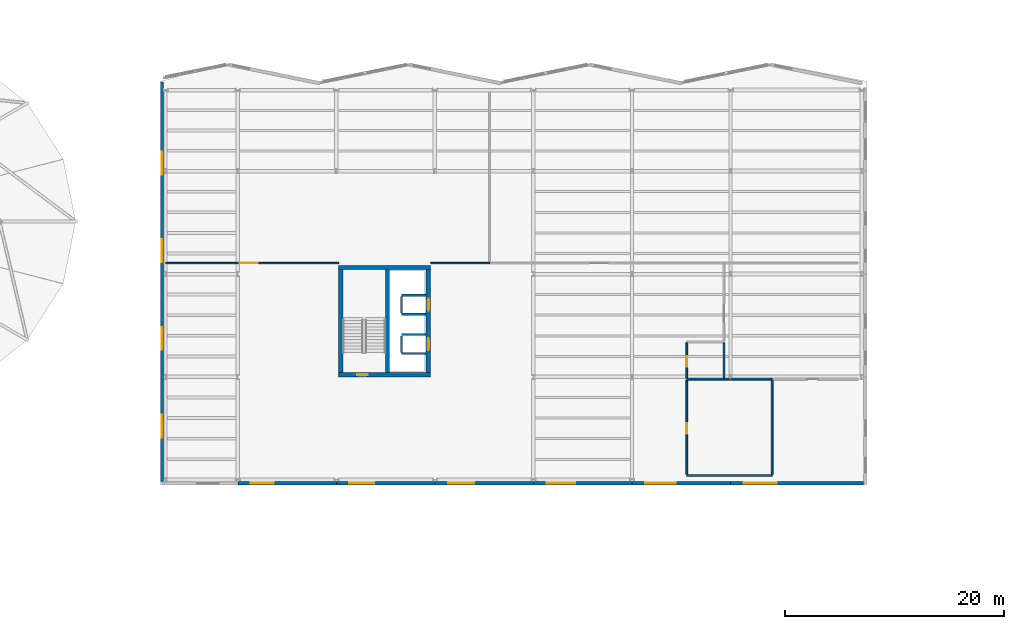
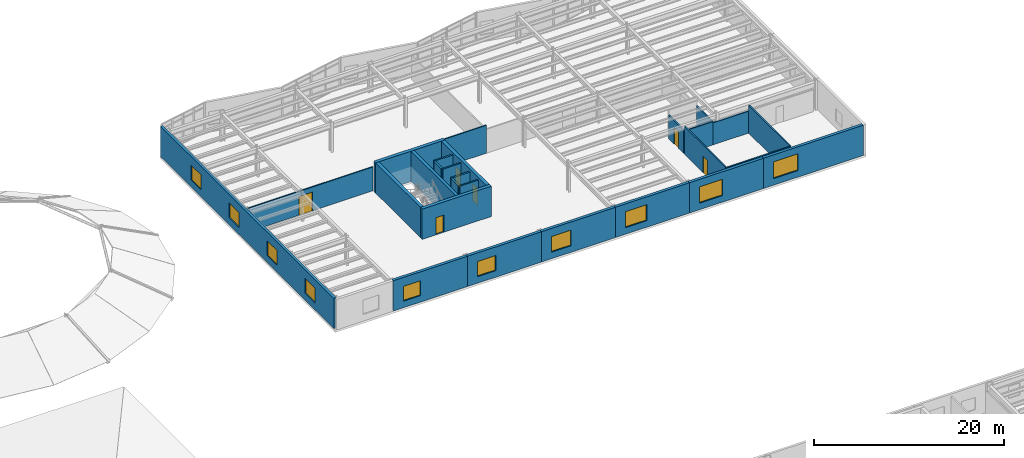
# One storey, part 33 of 46: 27 walls, 10 windows, 6 doors, 16 openings.
"""IFC4 building model written with IfcOpenShell, lengths in metres."""

import ifcopenshell
import ifcopenshell.guid

model = None  # the IFC model being written
_history = None  # IfcOwnerHistory: only IFC2X3 demands one
_inside = {}  # id of a spatial element -> (the spatial element, [elements in it])
_under = {}  # id of a project, library or spatial element -> (it, [spatial elements below it])
_declared = {}  # id of a project -> (the project, [libraries it declares])
_typed = {}  # id of a type object -> (the type object, [elements of that type])
_made_of = {}  # id of a material, layer set ... -> (it, [elements and type objects made of it])


def new_model(schema):
    """Start an empty IFC model of exactly this schema.

    Asked for "IFC4X3", IfcOpenShell would pick the latest addendum, in which some entities
    have other attributes; the version numbers below select the first issue.
    IFC2X3 requires an IfcOwnerHistory on every rooted entity: one is made here for all.
    """
    global model, _history
    if schema == "IFC4X3":
        model = ifcopenshell.file(schema_version=(4, 3, 0, 0))
    else:
        model = ifcopenshell.file(schema=schema)
    _inside.clear()
    _under.clear()
    _declared.clear()
    _typed.clear()
    _made_of.clear()
    _history = None
    if model.schema == "IFC2X3":
        org = make("IfcOrganization", Name="unknown")
        user = make(
            "IfcPersonAndOrganization",
            ThePerson=make("IfcPerson", FamilyName="unknown"),
            TheOrganization=org,
        )
        app = make(
            "IfcApplication",
            ApplicationDeveloper=org,
            Version="unknown",
            ApplicationFullName="unknown",
            ApplicationIdentifier="unknown",
        )
        _history = make(
            "IfcOwnerHistory",
            OwningUser=user,
            OwningApplication=app,
            ChangeAction="ADDED",
            CreationDate=0,
        )
    return model


def make(cls, **values):
    """One entity of the class cls with the attributes given. An attribute that is None is left unset."""
    return model.create_entity(
        cls, **{name: value for name, value in values.items() if value is not None}
    )


def rooted(cls, **values):
    """An entity with a GlobalId (a new one), such as an element, a storey or a relation."""
    return make(cls, GlobalId=ifcopenshell.guid.new(), OwnerHistory=_history, **values)


def si_unit(unit_type, name, prefix=None):
    """IfcSIUnit, for example si_unit("LENGTHUNIT", "METRE", prefix="MILLI")."""
    return make("IfcSIUnit", UnitType=unit_type, Prefix=prefix, Name=name)


def assignment(units):
    """IfcUnitAssignment: the units of a project."""
    return None if units is None else make("IfcUnitAssignment", Units=units)


def point(xyz):
    """IfcCartesianPoint."""
    return None if xyz is None else make("IfcCartesianPoint", Coordinates=xyz)


def direction(xyz):
    """IfcDirection."""
    return None if xyz is None else make("IfcDirection", DirectionRatios=xyz)


def frame(location, z_axis=None, x_axis=None):
    """IfcAxis2Placement3D, a coordinate frame: its origin and axes. An axis left out is left unset."""
    return make(
        "IfcAxis2Placement3D",
        Location=point(location),
        Axis=direction(z_axis),
        RefDirection=direction(x_axis),
    )


def frame_2d(location, x_axis=None):
    """IfcAxis2Placement2D, a coordinate frame in the plane: its origin and x axis."""
    return make(
        "IfcAxis2Placement2D", Location=point(location), RefDirection=direction(x_axis)
    )


def origin():
    """The frame at (0, 0, 0) with its axes left unset."""
    return frame((0.0, 0.0, 0.0))


def place(relative_to, where):
    """IfcLocalPlacement: puts the frame where relative to a parent placement (None: the world)."""
    return make(
        "IfcLocalPlacement", PlacementRelTo=relative_to, RelativePlacement=where
    )


def context(
    kind, dimensions, precision=None, world=None, true_north=None, identifier=None
):
    """IfcGeometricRepresentationContext, for example the 3D "Model" context."""
    return make(
        "IfcGeometricRepresentationContext",
        ContextIdentifier=identifier,
        ContextType=kind,
        CoordinateSpaceDimension=dimensions,
        Precision=precision,
        WorldCoordinateSystem=world,
        TrueNorth=true_north,
    )


def subcontext(parent, identifier, kind, view, scale=None):
    """IfcGeometricRepresentationSubContext, for example "Body" below "Model"."""
    return make(
        "IfcGeometricRepresentationSubContext",
        ContextIdentifier=identifier,
        ContextType=kind,
        ParentContext=parent,
        TargetScale=scale,
        TargetView=view,
    )


def project(units=None, contexts=None):
    """IfcProject with its units and contexts."""
    return rooted(
        "IfcProject",
        Name="project",
        RepresentationContexts=contexts,
        UnitsInContext=assignment(units),
    )


def spatial(cls, under=None, at=None, **own):
    """A site, building, storey or space (cls), placed at a placement, below another one or the project."""
    s = rooted(cls, ObjectPlacement=at, **own)
    if under is not None:
        _under.setdefault(under.id(), (under, []))[1].append(s)
    return s


def profile(cls, at=None, kind="AREA", **sizes):
    """A parametric profile (cls). Its sizes go by their IFC names, for example OverallWidth=200.0."""
    return make(cls, ProfileType=kind, Position=at, **sizes)


def rectangle(**sizes):
    """IfcRectangleProfileDef."""
    return profile("IfcRectangleProfileDef", **sizes)


def extrude(swept, where, along, depth):
    """IfcExtrudedAreaSolid: the profile swept, set in the frame where, extruded along a direction by depth."""
    return make(
        "IfcExtrudedAreaSolid",
        SweptArea=swept,
        Position=where,
        ExtrudedDirection=direction(along),
        Depth=depth,
    )


def shape(context_of_items, identifier, shape_type, items):
    """IfcShapeRepresentation: the items that make up one representation, for example the "Body"."""
    return make(
        "IfcShapeRepresentation",
        ContextOfItems=context_of_items,
        RepresentationIdentifier=identifier,
        RepresentationType=shape_type,
        Items=items,
    )


def material(Name=None, Category=None):
    """IfcMaterial."""
    return make("IfcMaterial", Name=Name, Category=Category)


def layer(
    of_material, thickness, ventilated=None, Name=None, Category=None, Priority=None
):
    """IfcMaterialLayer: one layer of a wall or slab, of a material (None: an air gap)."""
    return make(
        "IfcMaterialLayer",
        Material=of_material,
        LayerThickness=thickness,
        IsVentilated=ventilated,
        Name=Name,
        Category=Category,
        Priority=Priority,
    )


def layer_set(layers, Name=None):
    """IfcMaterialLayerSet."""
    return make("IfcMaterialLayerSet", MaterialLayers=layers, LayerSetName=Name)


def made_of(thing, what):
    """Note that an element or type object is made of a material, layer set ...; save() writes the relation."""
    if what is not None:
        _made_of.setdefault(what.id(), (what, []))[1].append(thing)
    return thing


def type_object(cls, material=None, **own):
    """A type object (cls), such as IfcWallType, which elements share."""
    return made_of(rooted(cls, **own), material)


def element(
    cls,
    number,
    at=None,
    inside=None,
    cuts=None,
    type_object=None,
    material=None,
    context=None,
    identifier="Body",
    shape_type=None,
    held_by="IfcProductDefinitionShape",
    body=None,
    shapes=None,
    **own,
):
    """One element of the class cls, such as IfcWall. Its Tag is "e" and its number.

    at: its placement. inside: the storey or other place that contains it. cuts: it is an
    opening in that element (IfcRelVoidsElement). A single representation is given by context,
    identifier, shape_type and body (its items); several are given by shapes. held_by: the class
    of the entity that holds the representations. save() writes the other relations.
    """
    e = rooted(cls, Tag="e%d" % number, ObjectPlacement=at, **own)
    if body is not None:
        shapes = [shape(context, identifier, shape_type, body)]
    if shapes is not None:
        e.Representation = make(held_by, Representations=shapes)
    if inside is not None:
        _inside.setdefault(inside.id(), (inside, []))[1].append(e)
    if cuts is not None:
        rooted(
            "IfcRelVoidsElement", RelatingBuildingElement=cuts, RelatedOpeningElement=e
        )
    if type_object is not None:
        _typed.setdefault(type_object.id(), (type_object, []))[1].append(e)
    return made_of(e, material)


def fill(opening, filler):
    """IfcRelFillsElement: the door or window that sits in an opening."""
    return rooted(
        "IfcRelFillsElement",
        RelatingOpeningElement=opening,
        RelatedBuildingElement=filler,
    )


def aggregate(whole, parts):
    """IfcRelAggregates: a whole, such as a stair, and the parts it consists of."""
    return rooted("IfcRelAggregates", RelatingObject=whole, RelatedObjects=parts)


def save(model, path):
    """Write the relations noted so far, then the file.

    IfcRelAggregates (storeys below a building ...), IfcRelContainedInSpatialStructure (elements
    in a storey), IfcRelDefinesByType, IfcRelAssociatesMaterial and IfcRelDeclares: one each for
    every whole, place, type object, material and project.
    """
    for whole, parts in _under.values():
        aggregate(whole, parts)
    for where, things in _inside.values():
        rooted(
            "IfcRelContainedInSpatialStructure",
            RelatedElements=things,
            RelatingStructure=where,
        )
    for kind, things in _typed.values():
        rooted("IfcRelDefinesByType", RelatedObjects=things, RelatingType=kind)
    for what, things in _made_of.values():
        rooted("IfcRelAssociatesMaterial", RelatedObjects=things, RelatingMaterial=what)
    for by, libraries in _declared.values():
        rooted("IfcRelDeclares", RelatingContext=by, RelatedDefinitions=libraries)
    model.write(path)


model = new_model("IFC4")

# Units and contexts
model_context = context("Model", 3, precision=1e-05, world=origin(), true_north=direction((0.0, 1.0)))
body_context = subcontext(model_context, "Body", "Model", "MODEL_VIEW")
ifc_project = project(units=[si_unit("LENGTHUNIT", "METRE"), si_unit("AREAUNIT", "SQUARE_METRE"), si_unit("VOLUMEUNIT", "CUBIC_METRE"), si_unit("PLANEANGLEUNIT", "RADIAN"), si_unit("MASSUNIT", "GRAM", prefix="KILO")], contexts=[model_context])

# Site, building, storey
site_placement = place(None, origin())
site = spatial("IfcSite", under=ifc_project, at=site_placement, CompositionType="ELEMENT")
building_placement = place(site_placement, origin())
building = spatial("IfcBuilding", under=site, at=building_placement, Name="Sollismere Congress Hotel", CompositionType="ELEMENT")
storey_placement = place(building_placement, frame((0.0, 0.0, 19.5)))
storey = spatial("IfcBuildingStorey", under=building, at=storey_placement, Name="L04", CompositionType="ELEMENT", Elevation=19.5)

# Wall, openings, windows
ifc_material_1 = material(Name="Colorado Buff Sandstone Rainscreen on Insulated Backup", Category="masonry")
ifc_layer_1 = layer(ifc_material_1, 0.284912109375, Name="Colorado Buff Sandstone Rainscreen on Insulated Backup")
ifc_layer_set_1 = layer_set([ifc_layer_1], Name="Colorado Buff Sandstone Rainscreen on Insulated Backup")
wall_type_1 = type_object("IfcWallType", Name="WL-EXT285", PredefinedType="STANDARD", material=ifc_layer_set_1)
wall_1_placement = place(storey_placement, frame((60.090087890625, 66.662109375, 0.0), z_axis=(0.0, 0.0, 1.0), x_axis=(0.0, 1.0, 0.0)))
wall_1 = element("IfcWall", 1, at=wall_1_placement, inside=storey, type_object=wall_type_1, Name="Exterior wall EW-L04-087", PredefinedType="STANDARD", context=body_context, shape_type="SweptSolid", body=[
    extrude(rectangle(XDim=36.48779296875, YDim=0.284912109375, at=frame_2d((18.243896484375, 0.0))), origin(), (0.0, 0.0, 1.0), 3.89990234375),
])
opening_1_placement = place(wall_1_placement, frame((4.0, 0.0, 0.89990234375)))
opening_1 = element("IfcOpeningElement", 2, at=opening_1_placement, cuts=wall_1, Name="Opening W-L04-091", PredefinedType="OPENING", context=body_context, shape_type="SweptSolid", body=[
    extrude(rectangle(XDim=2.10009765625, YDim=1.89990234375, at=frame_2d((1.050048828125, 0.949951171875))), frame((0.0, 0.15234375, 0.0), z_axis=(0.0, -1.0, 0.0), x_axis=(1.0, 0.0, 0.0)), (0.0, 0.0, 1.0), 0.304931640625),
])
opening_2_placement = place(wall_1_placement, frame((12.0, 0.0, 0.89990234375)))
opening_2 = element("IfcOpeningElement", 3, at=opening_2_placement, cuts=wall_1, Name="Opening W-L04-092", PredefinedType="OPENING", context=body_context, shape_type="SweptSolid", body=[
    extrude(rectangle(XDim=2.10009765625, YDim=1.89990234375, at=frame_2d((1.050048828125, 0.949951171875))), frame((0.0, 0.15234375, 0.0), z_axis=(0.0, -1.0, 0.0), x_axis=(1.0, 0.0, 0.0)), (0.0, 0.0, 1.0), 0.304931640625),
])
opening_3_placement = place(wall_1_placement, frame((20.0, 0.0, 0.89990234375)))
opening_3 = element("IfcOpeningElement", 4, at=opening_3_placement, cuts=wall_1, Name="Opening W-L04-093", PredefinedType="OPENING", context=body_context, shape_type="SweptSolid", body=[
    extrude(rectangle(XDim=2.10009765625, YDim=1.89990234375, at=frame_2d((1.050048828125, 0.949951171875))), frame((0.0, 0.15234375, 0.0), z_axis=(0.0, -1.0, 0.0), x_axis=(1.0, 0.0, 0.0)), (0.0, 0.0, 1.0), 0.304931640625),
])
opening_4_placement = place(wall_1_placement, frame((28.0, 0.0, 0.89990234375)))
opening_4 = element("IfcOpeningElement", 5, at=opening_4_placement, cuts=wall_1, Name="Opening W-L04-094", PredefinedType="OPENING", context=body_context, shape_type="SweptSolid", body=[
    extrude(rectangle(XDim=2.10009765625, YDim=1.89990234375, at=frame_2d((1.050048828125, 0.949951171875))), frame((0.0, 0.15234375, 0.0), z_axis=(0.0, -1.0, 0.0), x_axis=(1.0, 0.0, 0.0)), (0.0, 0.0, 1.0), 0.304931640625),
])
ifc_material_2 = material(Name="Thermally Broken Bronze Aluminum & Low-E Glass", Category="aluminium")
window_type_1 = type_object("IfcWindowType", Name="WN-P210x190", PartitioningType="SINGLE_PANEL", PredefinedType="WINDOW", material=ifc_material_2)
window_1_placement = place(opening_1_placement, origin())
window_1 = element("IfcWindow", 6, at=window_1_placement, inside=storey, type_object=window_type_1, Name="WIN-W-L04-091", OverallHeight=1.89990234375, OverallWidth=2.10009765625, PartitioningType="SINGLE_PANEL", PredefinedType="WINDOW", context=body_context, shape_type="SweptSolid", body=[
    extrude(rectangle(XDim=2.10009765625, YDim=1.89990234375, at=frame_2d((1.050048828125, 0.949951171875))), frame((0.0, 0.030029296875, 0.0), z_axis=(0.0, -1.0, 0.0), x_axis=(1.0, 0.0, 0.0)), (0.0, 0.0, 1.0), 0.06005859375),
])
fill(opening_1, window_1)
window_2_placement = place(opening_2_placement, origin())
window_2 = element("IfcWindow", 7, at=window_2_placement, inside=storey, type_object=window_type_1, Name="WIN-W-L04-092", OverallHeight=1.89990234375, OverallWidth=2.10009765625, PartitioningType="SINGLE_PANEL", PredefinedType="WINDOW", context=body_context, shape_type="SweptSolid", body=[
    extrude(rectangle(XDim=2.10009765625, YDim=1.89990234375, at=frame_2d((1.050048828125, 0.949951171875))), frame((0.0, 0.030029296875, 0.0), z_axis=(0.0, -1.0, 0.0), x_axis=(1.0, 0.0, 0.0)), (0.0, 0.0, 1.0), 0.06005859375),
])
fill(opening_2, window_2)
window_3_placement = place(opening_3_placement, origin())
window_3 = element("IfcWindow", 8, at=window_3_placement, inside=storey, type_object=window_type_1, Name="WIN-W-L04-093", OverallHeight=1.89990234375, OverallWidth=2.10009765625, PartitioningType="SINGLE_PANEL", PredefinedType="WINDOW", context=body_context, shape_type="SweptSolid", body=[
    extrude(rectangle(XDim=2.10009765625, YDim=1.89990234375, at=frame_2d((1.050048828125, 0.949951171875))), frame((0.0, 0.030029296875, 0.0), z_axis=(0.0, -1.0, 0.0), x_axis=(1.0, 0.0, 0.0)), (0.0, 0.0, 1.0), 0.06005859375),
])
fill(opening_3, window_3)
window_4_placement = place(opening_4_placement, origin())
window_4 = element("IfcWindow", 9, at=window_4_placement, inside=storey, type_object=window_type_1, Name="WIN-W-L04-094", OverallHeight=1.89990234375, OverallWidth=2.10009765625, PartitioningType="SINGLE_PANEL", PredefinedType="WINDOW", context=body_context, shape_type="SweptSolid", body=[
    extrude(rectangle(XDim=2.10009765625, YDim=1.89990234375, at=frame_2d((1.050048828125, 0.949951171875))), frame((0.0, 0.030029296875, 0.0), z_axis=(0.0, -1.0, 0.0), x_axis=(1.0, 0.0, 0.0)), (0.0, 0.0, 1.0), 0.06005859375),
])
fill(opening_4, window_4)

# Wall, opening, window
ifc_material_3 = material(Name="Colorado Buff Sandstone and Limestone Backup C40/50", Category="masonry")
ifc_layer_2 = layer(ifc_material_3, 0.340087890625, Name="Colorado Buff Sandstone and Limestone Backup C40/50")
ifc_layer_set_2 = layer_set([ifc_layer_2], Name="Colorado Buff Sandstone and Limestone Backup C40/50")
wall_type_2 = type_object("IfcWallType", Name="WL-EXT340", PredefinedType="STANDARD", material=ifc_layer_set_2)
wall_2_placement = place(storey_placement, frame((67.0, 66.489990234375, 0.0), z_axis=(0.0, 0.0, 1.0), x_axis=(1.0, 0.0, 0.0)))
wall_2 = element("IfcWall", 10, at=wall_2_placement, inside=storey, type_object=wall_type_2, Name="Exterior wall EW-L04-081", PredefinedType="STANDARD", context=body_context, shape_type="SweptSolid", body=[
    extrude(rectangle(XDim=9.0, YDim=0.340087890625, at=frame_2d((4.5, 0.0))), origin(), (0.0, 0.0, 1.0), 3.89990234375),
])
opening_5_placement = place(wall_2_placement, frame((1.199951171875, 0.0, 0.85009765625)))
opening_5 = element("IfcOpeningElement", 11, at=opening_5_placement, cuts=wall_2, Name="Opening W-L04-085", PredefinedType="OPENING", context=body_context, shape_type="SweptSolid", body=[
    extrude(rectangle(XDim=2.10009765625, YDim=1.89990234375, at=frame_2d((1.050048828125, 0.949951171875))), frame((0.0, 0.179931640625, 0.0), z_axis=(0.0, -1.0, 0.0), x_axis=(1.0, 0.0, 0.0)), (0.0, 0.0, 1.0), 0.360107421875),
])
window_5_placement = place(opening_5_placement, origin())
window_5 = element("IfcWindow", 12, at=window_5_placement, inside=storey, type_object=window_type_1, Name="WIN-W-L04-085", OverallHeight=1.89990234375, OverallWidth=2.10009765625, PartitioningType="SINGLE_PANEL", PredefinedType="WINDOW", context=body_context, shape_type="SweptSolid", body=[
    extrude(rectangle(XDim=2.10009765625, YDim=1.89990234375, at=frame_2d((1.050048828125, 0.949951171875))), frame((0.0, 0.030029296875, 0.0), z_axis=(0.0, -1.0, 0.0), x_axis=(1.0, 0.0, 0.0)), (0.0, 0.0, 1.0), 0.06005859375),
])
fill(opening_5, window_5)

wall_3_placement = place(storey_placement, frame((76.0, 66.489990234375, 0.0), z_axis=(0.0, 0.0, 1.0), x_axis=(1.0, 0.0, 0.0)))
wall_3 = element("IfcWall", 13, at=wall_3_placement, inside=storey, type_object=wall_type_2, Name="Exterior wall EW-L04-082", PredefinedType="STANDARD", context=body_context, shape_type="SweptSolid", body=[
    extrude(rectangle(XDim=9.0, YDim=0.340087890625, at=frame_2d((4.5, 0.0))), origin(), (0.0, 0.0, 1.0), 3.89990234375),
])
opening_6_placement = place(wall_3_placement, frame((1.199951171875, 0.0, 0.85009765625)))
opening_6 = element("IfcOpeningElement", 14, at=opening_6_placement, cuts=wall_3, Name="Opening W-L04-086", PredefinedType="OPENING", context=body_context, shape_type="SweptSolid", body=[
    extrude(rectangle(XDim=2.25, YDim=1.949951171875, at=frame_2d((1.125, 0.97509765625))), frame((0.0, 0.179931640625, 0.0), z_axis=(0.0, -1.0, 0.0), x_axis=(1.0, 0.0, 0.0)), (0.0, 0.0, 1.0), 0.360107421875),
])
window_type_2 = type_object("IfcWindowType", Name="WN-P225x195", PartitioningType="SINGLE_PANEL", PredefinedType="WINDOW", material=ifc_material_2)
window_6_placement = place(opening_6_placement, origin())
window_6 = element("IfcWindow", 15, at=window_6_placement, inside=storey, type_object=window_type_2, Name="WIN-W-L04-086", OverallHeight=1.949951171875, OverallWidth=2.25, PartitioningType="SINGLE_PANEL", PredefinedType="WINDOW", context=body_context, shape_type="SweptSolid", body=[
    extrude(rectangle(XDim=2.25, YDim=1.949951171875, at=frame_2d((1.125, 0.97509765625))), frame((0.0, 0.030029296875, 0.0), z_axis=(0.0, -1.0, 0.0), x_axis=(1.0, 0.0, 0.0)), (0.0, 0.0, 1.0), 0.06005859375),
])
fill(opening_6, window_6)

wall_4_placement = place(storey_placement, frame((85.0, 66.489990234375, 0.0), z_axis=(0.0, 0.0, 1.0), x_axis=(1.0, 0.0, 0.0)))
wall_4 = element("IfcWall", 16, at=wall_4_placement, inside=storey, type_object=wall_type_2, Name="Exterior wall EW-L04-083", PredefinedType="STANDARD", context=body_context, shape_type="SweptSolid", body=[
    extrude(rectangle(XDim=9.0, YDim=0.340087890625, at=frame_2d((4.5, 0.0))), origin(), (0.0, 0.0, 1.0), 3.89990234375),
])
opening_7_placement = place(wall_4_placement, frame((1.199951171875, 0.0, 0.85009765625)))
opening_7 = element("IfcOpeningElement", 17, at=opening_7_placement, cuts=wall_4, Name="Opening W-L04-087", PredefinedType="OPENING", context=body_context, shape_type="SweptSolid", body=[
    extrude(rectangle(XDim=2.39990234375, YDim=2.0, at=frame_2d((1.199951171875, 1.0))), frame((0.0, 0.179931640625, 0.0), z_axis=(0.0, -1.0, 0.0), x_axis=(1.0, 0.0, 0.0)), (0.0, 0.0, 1.0), 0.360107421875),
])
window_type_3 = type_object("IfcWindowType", Name="WN-P240x200", PartitioningType="SINGLE_PANEL", PredefinedType="WINDOW", material=ifc_material_2)
window_7_placement = place(opening_7_placement, origin())
window_7 = element("IfcWindow", 18, at=window_7_placement, inside=storey, type_object=window_type_3, Name="WIN-W-L04-087", OverallHeight=2.0, OverallWidth=2.39990234375, PartitioningType="SINGLE_PANEL", PredefinedType="WINDOW", context=body_context, shape_type="SweptSolid", body=[
    extrude(rectangle(XDim=2.39990234375, YDim=2.0, at=frame_2d((1.199951171875, 1.0))), frame((0.0, 0.030029296875, 0.0), z_axis=(0.0, -1.0, 0.0), x_axis=(1.0, 0.0, 0.0)), (0.0, 0.0, 1.0), 0.06005859375),
])
fill(opening_7, window_7)

wall_5_placement = place(storey_placement, frame((94.0, 66.489990234375, 0.0), z_axis=(0.0, 0.0, 1.0), x_axis=(1.0, 0.0, 0.0)))
wall_5 = element("IfcWall", 19, at=wall_5_placement, inside=storey, type_object=wall_type_2, Name="Exterior wall EW-L04-084", PredefinedType="STANDARD", context=body_context, shape_type="SweptSolid", body=[
    extrude(rectangle(XDim=9.0, YDim=0.340087890625, at=frame_2d((4.5, 0.0))), origin(), (0.0, 0.0, 1.0), 3.89990234375),
])
opening_8_placement = place(wall_5_placement, frame((1.199951171875, 0.0, 0.85009765625)))
opening_8 = element("IfcOpeningElement", 20, at=opening_8_placement, cuts=wall_5, Name="Opening W-L04-088", PredefinedType="OPENING", context=body_context, shape_type="SweptSolid", body=[
    extrude(rectangle(XDim=2.60009765625, YDim=2.050048828125, at=frame_2d((1.300048828125, 1.02490234375))), frame((0.0, 0.179931640625, 0.0), z_axis=(0.0, -1.0, 0.0), x_axis=(1.0, 0.0, 0.0)), (0.0, 0.0, 1.0), 0.360107421875),
])
window_type_4 = type_object("IfcWindowType", Name="WN-P260x205", PartitioningType="SINGLE_PANEL", PredefinedType="WINDOW", material=ifc_material_2)
window_8_placement = place(opening_8_placement, origin())
window_8 = element("IfcWindow", 21, at=window_8_placement, inside=storey, type_object=window_type_4, Name="WIN-W-L04-088", OverallHeight=2.050048828125, OverallWidth=2.60009765625, PartitioningType="SINGLE_PANEL", PredefinedType="WINDOW", context=body_context, shape_type="SweptSolid", body=[
    extrude(rectangle(XDim=2.60009765625, YDim=2.050048828125, at=frame_2d((1.300048828125, 1.02490234375))), frame((0.0, 0.030029296875, 0.0), z_axis=(0.0, -1.0, 0.0), x_axis=(1.0, 0.0, 0.0)), (0.0, 0.0, 1.0), 0.06005859375),
])
fill(opening_8, window_8)

wall_6_placement = place(storey_placement, frame((103.0, 66.489990234375, 0.0), z_axis=(0.0, 0.0, 1.0), x_axis=(1.0, 0.0, 0.0)))
wall_6 = element("IfcWall", 22, at=wall_6_placement, inside=storey, type_object=wall_type_2, Name="Exterior wall EW-L04-085", PredefinedType="STANDARD", context=body_context, shape_type="SweptSolid", body=[
    extrude(rectangle(XDim=9.0, YDim=0.340087890625, at=frame_2d((4.5, 0.0))), origin(), (0.0, 0.0, 1.0), 3.89990234375),
])
opening_9_placement = place(wall_6_placement, frame((1.199951171875, 0.0, 0.85009765625)))
opening_9 = element("IfcOpeningElement", 23, at=opening_9_placement, cuts=wall_6, Name="Opening W-L04-089", PredefinedType="OPENING", context=body_context, shape_type="SweptSolid", body=[
    extrude(rectangle(XDim=2.800048828125, YDim=2.10009765625, at=frame_2d((1.39990234375, 1.050048828125))), frame((0.0, 0.179931640625, 0.0), z_axis=(0.0, -1.0, 0.0), x_axis=(1.0, 0.0, 0.0)), (0.0, 0.0, 1.0), 0.360107421875),
])
window_type_5 = type_object("IfcWindowType", Name="WN-P280x210", PartitioningType="SINGLE_PANEL", PredefinedType="WINDOW", material=ifc_material_2)
window_9_placement = place(opening_9_placement, origin())
window_9 = element("IfcWindow", 24, at=window_9_placement, inside=storey, type_object=window_type_5, Name="WIN-W-L04-089", OverallHeight=2.10009765625, OverallWidth=2.800048828125, PartitioningType="SINGLE_PANEL", PredefinedType="WINDOW", context=body_context, shape_type="SweptSolid", body=[
    extrude(rectangle(XDim=2.800048828125, YDim=2.10009765625, at=frame_2d((1.39990234375, 1.050048828125))), frame((0.0, 0.030029296875, 0.0), z_axis=(0.0, -1.0, 0.0), x_axis=(1.0, 0.0, 0.0)), (0.0, 0.0, 1.0), 0.06005859375),
])
fill(opening_9, window_9)

wall_7_placement = place(storey_placement, frame((112.0, 66.489990234375, 0.0), z_axis=(0.0, 0.0, 1.0), x_axis=(1.0, 0.0, 0.0)))
wall_7 = element("IfcWall", 25, at=wall_7_placement, inside=storey, type_object=wall_type_2, Name="Exterior wall EW-L04-086", PredefinedType="STANDARD", context=body_context, shape_type="SweptSolid", body=[
    extrude(rectangle(XDim=12.137939453125, YDim=0.340087890625, at=frame_2d((6.06884765625, 0.0))), origin(), (0.0, 0.0, 1.0), 3.89990234375),
])
opening_10_placement = place(wall_7_placement, frame((1.199951171875, 0.0, 0.85009765625)))
opening_10 = element("IfcOpeningElement", 26, at=opening_10_placement, cuts=wall_7, Name="Opening W-L04-090", PredefinedType="OPENING", context=body_context, shape_type="SweptSolid", body=[
    extrude(rectangle(XDim=3.0, YDim=2.14990234375, at=frame_2d((1.5, 1.074951171875))), frame((0.0, 0.179931640625, 0.0), z_axis=(0.0, -1.0, 0.0), x_axis=(1.0, 0.0, 0.0)), (0.0, 0.0, 1.0), 0.360107421875),
])
window_type_6 = type_object("IfcWindowType", Name="WN-P300x215", PartitioningType="SINGLE_PANEL", PredefinedType="WINDOW", material=ifc_material_2)
window_10_placement = place(opening_10_placement, origin())
window_10 = element("IfcWindow", 27, at=window_10_placement, inside=storey, type_object=window_type_6, Name="WIN-W-L04-090", OverallHeight=2.14990234375, OverallWidth=3.0, PartitioningType="SINGLE_PANEL", PredefinedType="WINDOW", context=body_context, shape_type="SweptSolid", body=[
    extrude(rectangle(XDim=3.0, YDim=2.14990234375, at=frame_2d((1.5, 1.074951171875))), frame((0.0, 0.030029296875, 0.0), z_axis=(0.0, -1.0, 0.0), x_axis=(1.0, 0.0, 0.0)), (0.0, 0.0, 1.0), 0.06005859375),
])
fill(opening_10, window_10)

# Walls
ifc_material_4 = material(Name="Moisture-Resistant Shaft Gypsum Assembly")
ifc_layer_3 = layer(ifc_material_4, 0.199951171875, Name="Moisture-Resistant Shaft Gypsum Assembly")
ifc_layer_set_3 = layer_set([ifc_layer_3], Name="Moisture-Resistant Shaft Gypsum Assembly")
wall_type_3 = type_object("IfcWallType", Name="WL-PLM200", PredefinedType="PLUMBINGWALL", material=ifc_layer_set_3)
for number, where, z_axis, x_axis, name in (
    (28, (81.955078125, 78.330078125, 0.0), (0.0, 0.0, 1.0), (1.0, 0.0, 0.0), "Interior wall IW-L04-0620"),
    (29, (81.955078125, 80.070068359375, 0.0), (0.0, 0.0, 1.0), (1.0, 0.0, 0.0), "Interior wall IW-L04-0621"),
):
    element("IfcWall", number, at=place(storey_placement, frame(where, z_axis=z_axis, x_axis=x_axis)), inside=storey, type_object=wall_type_3, Name=name, PredefinedType="PLUMBINGWALL", context=body_context, shape_type="SweptSolid", body=[
        extrude(rectangle(XDim=2.23291015625, YDim=0.199951171875, at=frame_2d((1.116455078125, 0.0))), origin(), (0.0, 0.0, 1.0), 3.5849609375),
    ])
wall_8_placement = place(storey_placement, frame((81.955078125, 78.44189453125, 0.0), z_axis=(0.0, 0.0, 1.0), x_axis=(0.0, 1.0, 0.0)))
element("IfcWall", 30, at=wall_8_placement, inside=storey, type_object=wall_type_3, Name="Interior wall IW-L04-0622", PredefinedType="PLUMBINGWALL", context=body_context, shape_type="SweptSolid", body=[
    extrude(rectangle(XDim=1.51611328125, YDim=0.199951171875, at=frame_2d((0.758056640625, 0.0))), origin(), (0.0, 0.0, 1.0), 3.5849609375),
])
for number, where, z_axis, x_axis, name in (
    (31, (81.955078125, 81.929931640625, 0.0), (0.0, 0.0, 1.0), (1.0, 0.0, 0.0), "Interior wall IW-L04-0623"),
    (32, (81.955078125, 83.669921875, 0.0), (0.0, 0.0, 1.0), (1.0, 0.0, 0.0), "Interior wall IW-L04-0624"),
):
    element("IfcWall", number, at=place(storey_placement, frame(where, z_axis=z_axis, x_axis=x_axis)), inside=storey, type_object=wall_type_3, Name=name, PredefinedType="PLUMBINGWALL", context=body_context, shape_type="SweptSolid", body=[
        extrude(rectangle(XDim=2.23291015625, YDim=0.199951171875, at=frame_2d((1.116455078125, 0.0))), origin(), (0.0, 0.0, 1.0), 3.5849609375),
    ])
wall_9_placement = place(storey_placement, frame((81.955078125, 82.0419921875, 0.0), z_axis=(0.0, 0.0, 1.0), x_axis=(0.0, 1.0, 0.0)))
element("IfcWall", 33, at=wall_9_placement, inside=storey, type_object=wall_type_3, Name="Interior wall IW-L04-0625", PredefinedType="PLUMBINGWALL", context=body_context, shape_type="SweptSolid", body=[
    extrude(rectangle(XDim=1.51611328125, YDim=0.199951171875, at=frame_2d((0.758056640625, 0.0))), origin(), (0.0, 0.0, 1.0), 3.5849609375),
])

# Wall, opening, door
ifc_material_5 = material(Name="Fire-Rated Gypsum Partition")
ifc_layer_4 = layer(ifc_material_5, 0.139892578125, Name="Fire-Rated Gypsum Partition")
ifc_layer_set_4 = layer_set([ifc_layer_4], Name="Fire-Rated Gypsum Partition")
wall_type_4 = type_object("IfcWallType", Name="WL-PRT140R", PredefinedType="PARTITIONING", material=ifc_layer_set_4)
wall_10_placement = place(storey_placement, frame((60.39990234375, 86.60009765625, 0.0), z_axis=(0.0, 0.0, 1.0), x_axis=(1.0, 0.0, 0.0)))
wall_10 = element("IfcWall", 34, at=wall_10_placement, inside=storey, type_object=wall_type_4, Name="Interior wall IW-L04-0960", PredefinedType="PARTITIONING", context=body_context, shape_type="SweptSolid", body=[
    extrude(rectangle(XDim=15.800048828125, YDim=0.139892578125, at=frame_2d((7.89990234375, 0.0))), origin(), (0.0, 0.0, 1.0), 3.05908203125),
])
opening_11_placement = place(wall_10_placement, frame((6.800048828125, 0.0, 0.0)))
opening_11 = element("IfcOpeningElement", 35, at=opening_11_placement, cuts=wall_10, Name="Opening D-L04-0338", PredefinedType="OPENING", context=body_context, shape_type="SweptSolid", body=[
    extrude(rectangle(XDim=1.60009765625, YDim=2.39990234375, at=frame_2d((0.800048828125, 1.199951171875))), frame((0.0, 0.079833984375, 0.0), z_axis=(0.0, -1.0, 0.0), x_axis=(1.0, 0.0, 0.0)), (0.0, 0.0, 1.0), 0.159912109375),
])
ifc_material_6 = material(Name="Acoustic Oak Double Meeting Door")
door_type_1 = type_object("IfcDoorType", Name="DR-MT160", OperationType="NOTDEFINED", PredefinedType="DOOR", material=ifc_material_6)
door_1_placement = place(opening_11_placement, origin())
door_1 = element("IfcDoor", 36, at=door_1_placement, inside=storey, type_object=door_type_1, Name="Interior door D-L04-0338", OperationType="DOUBLE_DOOR_SINGLE_SWING", OverallHeight=2.39990234375, OverallWidth=1.60009765625, PredefinedType="DOOR", context=body_context, shape_type="SweptSolid", body=[
    extrude(rectangle(XDim=1.60009765625, YDim=2.39990234375, at=frame_2d((0.800048828125, 1.199951171875))), frame((0.0, 0.02490234375, 0.0), z_axis=(0.0, -1.0, 0.0), x_axis=(1.0, 0.0, 0.0)), (0.0, 0.0, 1.0), 0.050048828125),
])
fill(opening_11, door_1)

# Walls
wall_11_placement = place(storey_placement, frame((84.60009765625, 86.60009765625, 0.0), z_axis=(0.0, 0.0, 1.0), x_axis=(1.0, 0.0, 0.0)))
element("IfcWall", 37, at=wall_11_placement, inside=storey, type_object=wall_type_4, Name="Interior wall IW-L04-0961", PredefinedType="PARTITIONING", context=body_context, shape_type="SweptSolid", body=[
    extrude(rectangle(XDim=5.39990234375, YDim=0.139892578125, at=frame_2d((2.699951171875, 0.0))), origin(), (0.0, 0.0, 1.0), 3.5849609375),
])
ifc_material_7 = material(Name="Fire-Rated Acoustic Gypsum Partition")
ifc_layer_5 = layer(ifc_material_7, 0.1650390625, Name="Fire-Rated Acoustic Gypsum Partition")
ifc_layer_set_5 = layer_set([ifc_layer_5], Name="Fire-Rated Acoustic Gypsum Partition")
wall_type_5 = type_object("IfcWallType", Name="WL-PRT165R", PredefinedType="PARTITIONING", material=ifc_layer_set_5)
wall_12_placement = place(storey_placement, frame((108.0, 67.199951171875, 0.0), z_axis=(0.0, 0.0, 1.0), x_axis=(1.0, 0.0, 0.0)))
element("IfcWall", 38, at=wall_12_placement, inside=storey, type_object=wall_type_5, Name="Interior wall IW-L04-0955", PredefinedType="PARTITIONING", context=body_context, shape_type="SweptSolid", body=[
    extrude(rectangle(XDim=7.800048828125, YDim=0.1650390625, at=frame_2d((3.89990234375, 0.0))), origin(), (0.0, 0.0, 1.0), 3.5849609375),
])
wall_13_placement = place(storey_placement, frame((108.0, 76.0, 0.0), z_axis=(0.0, 0.0, 1.0), x_axis=(1.0, 0.0, 0.0)))
element("IfcWall", 39, at=wall_13_placement, inside=storey, type_object=wall_type_5, Name="Interior wall IW-L04-0956", PredefinedType="PARTITIONING", context=body_context, shape_type="SweptSolid", body=[
    extrude(rectangle(XDim=3.39990234375, YDim=0.1650390625, at=frame_2d((1.699951171875, 0.0))), origin(), (0.0, 0.0, 1.0), 2.998046875),
])
wall_14_placement = place(storey_placement, frame((111.39990234375, 76.0, 0.0), z_axis=(0.0, 0.0, 1.0), x_axis=(1.0, 0.0, 0.0)))
element("IfcWall", 40, at=wall_14_placement, inside=storey, type_object=wall_type_5, Name="Interior wall IW-L04-0957", PredefinedType="PARTITIONING", context=body_context, shape_type="SweptSolid", body=[
    extrude(rectangle(XDim=4.400146484375, YDim=0.1650390625, at=frame_2d((2.2001953125, 0.0))), origin(), (0.0, 0.0, 1.0), 2.822998046875),
])

# Wall, opening, door
wall_15_placement = place(storey_placement, frame((108.0, 67.29443359375, 0.0), z_axis=(0.0, 0.0, 1.0), x_axis=(0.0, 1.0, 0.0)))
wall_15 = element("IfcWall", 41, at=wall_15_placement, inside=storey, type_object=wall_type_5, Name="Interior wall IW-L04-0965", PredefinedType="PARTITIONING", context=body_context, shape_type="SweptSolid", body=[
    extrude(rectangle(XDim=8.611083984375, YDim=0.1650390625, at=frame_2d((4.3056640625, 0.0))), origin(), (0.0, 0.0, 1.0), 3.5849609375),
])
opening_12_placement = place(wall_15_placement, frame((3.72607421875, 0.0, 0.0)))
opening_12 = element("IfcOpeningElement", 42, at=opening_12_placement, cuts=wall_15, Name="Opening D-L04-0340", PredefinedType="OPENING", context=body_context, shape_type="SweptSolid", body=[
    extrude(rectangle(XDim=0.9599609375, YDim=2.14990234375, at=frame_2d((0.47998046875, 1.074951171875))), frame((0.0, 0.092529296875, 0.0), z_axis=(0.0, -1.0, 0.0), x_axis=(1.0, 0.0, 0.0)), (0.0, 0.0, 1.0), 0.18505859375),
])
ifc_material_8 = material(Name="Fire-Rated Accessible Restroom Door")
door_type_2 = type_object("IfcDoorType", Name="DR-AWC01", OperationType="NOTDEFINED", PredefinedType="DOOR", material=ifc_material_8)
door_2_placement = place(opening_12_placement, origin())
door_2 = element("IfcDoor", 43, at=door_2_placement, inside=storey, type_object=door_type_2, Name="Interior door D-L04-0340", OperationType="SINGLE_SWING_RIGHT", OverallHeight=2.14990234375, OverallWidth=0.9599609375, PredefinedType="DOOR", context=body_context, shape_type="SweptSolid", body=[
    extrude(rectangle(XDim=0.9599609375, YDim=2.14990234375, at=frame_2d((0.47998046875, 1.074951171875))), frame((0.0, 0.02490234375, 0.0), z_axis=(0.0, -1.0, 0.0), x_axis=(1.0, 0.0, 0.0)), (0.0, 0.0, 1.0), 0.050048828125),
])
fill(opening_12, door_2)

wall_16_placement = place(storey_placement, frame((108.0, 76.094482421875, 0.0), z_axis=(0.0, 0.0, 1.0), x_axis=(0.0, 1.0, 0.0)))
wall_16 = element("IfcWall", 44, at=wall_16_placement, inside=storey, type_object=wall_type_5, Name="Interior wall IW-L04-0966", PredefinedType="PARTITIONING", context=body_context, shape_type="SweptSolid", body=[
    extrude(rectangle(XDim=3.2109375, YDim=0.1650390625, at=frame_2d((1.60546875, 0.0))), origin(), (0.0, 0.0, 1.0), 2.998046875),
])
opening_13_placement = place(wall_16_placement, frame((1.02490234375, 0.0, 0.0)))
opening_13 = element("IfcOpeningElement", 45, at=opening_13_placement, cuts=wall_16, Name="Opening D-L04-0341", PredefinedType="OPENING", context=body_context, shape_type="SweptSolid", body=[
    extrude(rectangle(XDim=0.9599609375, YDim=2.14990234375, at=frame_2d((0.47998046875, 1.074951171875))), frame((0.0, 0.092529296875, 0.0), z_axis=(0.0, -1.0, 0.0), x_axis=(1.0, 0.0, 0.0)), (0.0, 0.0, 1.0), 0.18505859375),
])
door_3_placement = place(opening_13_placement, origin())
door_3 = element("IfcDoor", 46, at=door_3_placement, inside=storey, type_object=door_type_2, Name="Interior door D-L04-0341", OperationType="SINGLE_SWING_LEFT", OverallHeight=2.14990234375, OverallWidth=0.9599609375, PredefinedType="DOOR", context=body_context, shape_type="SweptSolid", body=[
    extrude(rectangle(XDim=0.9599609375, YDim=2.14990234375, at=frame_2d((0.47998046875, 1.074951171875))), frame((0.0, 0.02490234375, 0.0), z_axis=(0.0, -1.0, 0.0), x_axis=(1.0, 0.0, 0.0)), (0.0, 0.0, 1.0), 0.050048828125),
])
fill(opening_13, door_3)

# Walls
wall_17_placement = place(storey_placement, frame((111.39990234375, 76.094482421875, 0.0), z_axis=(0.0, 0.0, 1.0), x_axis=(0.0, 1.0, 0.0)))
element("IfcWall", 47, at=wall_17_placement, inside=storey, type_object=wall_type_5, Name="Interior wall IW-L04-0967", PredefinedType="PARTITIONING", context=body_context, shape_type="SweptSolid", body=[
    extrude(rectangle(XDim=3.2109375, YDim=0.1650390625, at=frame_2d((1.60546875, 0.0))), origin(), (0.0, 0.0, 1.0), 2.998046875),
])
wall_18_placement = place(storey_placement, frame((115.800048828125, 67.29443359375, 0.0), z_axis=(0.0, 0.0, 1.0), x_axis=(0.0, 1.0, 0.0)))
element("IfcWall", 48, at=wall_18_placement, inside=storey, type_object=wall_type_5, Name="Interior wall IW-L04-0969", PredefinedType="PARTITIONING", context=body_context, shape_type="SweptSolid", body=[
    extrude(rectangle(XDim=8.611083984375, YDim=0.1650390625, at=frame_2d((4.3056640625, 0.0))), origin(), (0.0, 0.0, 1.0), 3.5849609375),
])
ifc_material_9 = material(Name="Concrete C50/60", Category="concrete")
ifc_layer_6 = layer(ifc_material_9, 0.35009765625, Name="Concrete C50/60")
ifc_layer_set_6 = layer_set([ifc_layer_6], Name="Concrete C50/60")
wall_type_6 = type_object("IfcWallType", Name="WL-SHR350", PredefinedType="SHEAR", material=ifc_layer_set_6)
wall_19_placement = place(storey_placement, frame((80.675048828125, 76.60009765625, 0.0), z_axis=(0.0, 0.0, 1.0), x_axis=(0.0, 1.0, 0.0)))
element("IfcWall", 49, at=wall_19_placement, inside=storey, type_object=wall_type_6, Name="Interior wall IW-L04-0619", PredefinedType="SHEAR", context=body_context, shape_type="SweptSolid", body=[
    extrude(rectangle(XDim=9.39990234375, YDim=0.35009765625, at=frame_2d((4.699951171875, 0.0))), origin(), (0.0, 0.0, 1.0), 3.89990234375),
])

# Wall, opening, door
ifc_layer_7 = layer(ifc_material_9, 0.39990234375, Name="Concrete C50/60")
ifc_layer_set_7 = layer_set([ifc_layer_7], Name="Concrete C50/60")
wall_type_7 = type_object("IfcWallType", Name="WL-SHR400", PredefinedType="SHEAR", material=ifc_layer_set_7)
wall_20_placement = place(storey_placement, frame((76.199951171875, 76.39990234375, 0.0), z_axis=(0.0, 0.0, 1.0), x_axis=(1.0, 0.0, 0.0)))
wall_20 = element("IfcWall", 50, at=wall_20_placement, inside=storey, type_object=wall_type_7, Name="Interior wall IW-L04-0615", PredefinedType="SHEAR", context=body_context, shape_type="SweptSolid", body=[
    extrude(rectangle(XDim=8.400146484375, YDim=0.39990234375, at=frame_2d((4.2001953125, 0.0))), origin(), (0.0, 0.0, 1.0), 3.89990234375),
])
opening_14_placement = place(wall_20_placement, frame((1.699951171875, 0.0, 0.0)))
opening_14 = element("IfcOpeningElement", 51, at=opening_14_placement, cuts=wall_20, Name="Opening D-ST-04-L04", PredefinedType="OPENING", context=body_context, shape_type="SweptSolid", body=[
    extrude(rectangle(XDim=0.949951171875, YDim=2.199951171875, at=frame_2d((0.47509765625, 1.10009765625))), frame((0.0, 0.2099609375, 0.0), z_axis=(0.0, -1.0, 0.0), x_axis=(1.0, 0.0, 0.0)), (0.0, 0.0, 1.0), 0.419921875),
])
ifc_material_10 = material(Name="Fire-Rated Insulated Steel Door", Category="steel")
door_type_3 = type_object("IfcDoorType", Name="DR-FD90", OperationType="NOTDEFINED", PredefinedType="DOOR", material=ifc_material_10)
door_4_placement = place(opening_14_placement, origin())
door_4 = element("IfcDoor", 52, at=door_4_placement, inside=storey, type_object=door_type_3, Name="Exit stair fire door D-ST-04-L04", OperationType="SINGLE_SWING_LEFT", OverallHeight=2.199951171875, OverallWidth=0.949951171875, PredefinedType="DOOR", context=body_context, shape_type="SweptSolid", body=[
    extrude(rectangle(XDim=0.949951171875, YDim=2.199951171875, at=frame_2d((0.47509765625, 1.10009765625))), frame((0.0, 0.02490234375, 0.0), z_axis=(0.0, -1.0, 0.0), x_axis=(1.0, 0.0, 0.0)), (0.0, 0.0, 1.0), 0.050048828125),
])
fill(opening_14, door_4)

# Walls
wall_21_placement = place(storey_placement, frame((84.60009765625, 86.199951171875, 0.0), z_axis=(0.0, 0.0, 1.0), x_axis=(-1.0, 0.0, 0.0)))
element("IfcWall", 53, at=wall_21_placement, inside=storey, type_object=wall_type_7, Name="Interior wall IW-L04-0616", PredefinedType="SHEAR", context=body_context, shape_type="SweptSolid", body=[
    extrude(rectangle(XDim=8.400146484375, YDim=0.39990234375, at=frame_2d((4.2001953125, 0.0))), origin(), (0.0, 0.0, 1.0), 3.89990234375),
])
wall_22_placement = place(storey_placement, frame((76.39990234375, 86.0, 0.0), z_axis=(0.0, 0.0, 1.0), x_axis=(0.0, -1.0, 0.0)))
element("IfcWall", 54, at=wall_22_placement, inside=storey, type_object=wall_type_7, Name="Interior wall IW-L04-0617", PredefinedType="SHEAR", context=body_context, shape_type="SweptSolid", body=[
    extrude(rectangle(XDim=9.39990234375, YDim=0.39990234375, at=frame_2d((4.699951171875, 0.0))), origin(), (0.0, 0.0, 1.0), 3.89990234375),
])

# Wall, openings, doors
wall_23_placement = place(storey_placement, frame((84.39990234375, 76.60009765625, 0.0), z_axis=(0.0, 0.0, 1.0), x_axis=(0.0, 1.0, 0.0)))
wall_23 = element("IfcWall", 55, at=wall_23_placement, inside=storey, type_object=wall_type_7, Name="Interior wall IW-L04-0618", PredefinedType="SHEAR", context=body_context, shape_type="SweptSolid", body=[
    extrude(rectangle(XDim=9.39990234375, YDim=0.39990234375, at=frame_2d((4.699951171875, 0.0))), origin(), (0.0, 0.0, 1.0), 3.89990234375),
])
opening_15_placement = place(wall_23_placement, frame((2.050048828125, 0.0, 0.0)))
opening_15 = element("IfcOpeningElement", 56, at=opening_15_placement, cuts=wall_23, Name="Opening LD-LP-07-L04", PredefinedType="OPENING", context=body_context, shape_type="SweptSolid", body=[
    extrude(rectangle(XDim=1.10009765625, YDim=2.199951171875, at=frame_2d((0.550048828125, 1.10009765625))), frame((0.0, 0.2099609375, 0.0), z_axis=(0.0, -1.0, 0.0), x_axis=(1.0, 0.0, 0.0)), (0.0, 0.0, 1.0), 0.419921875),
])
opening_16_placement = place(wall_23_placement, frame((5.64990234375, 0.0, 0.0)))
opening_16 = element("IfcOpeningElement", 57, at=opening_16_placement, cuts=wall_23, Name="Opening LD-LP-08-L04", PredefinedType="OPENING", context=body_context, shape_type="SweptSolid", body=[
    extrude(rectangle(XDim=1.10009765625, YDim=2.199951171875, at=frame_2d((0.550048828125, 1.10009765625))), frame((0.0, 0.2099609375, 0.0), z_axis=(0.0, -1.0, 0.0), x_axis=(1.0, 0.0, 0.0)), (0.0, 0.0, 1.0), 0.419921875),
])
ifc_material_11 = material(Name="Brushed Bronze Sliding Elevator Landing Door")
door_type_4 = type_object("IfcDoorType", Name="DR-LD110", OperationType="NOTDEFINED", PredefinedType="DOOR", material=ifc_material_11)
door_5_placement = place(opening_15_placement, origin())
door_5 = element("IfcDoor", 58, at=door_5_placement, inside=storey, type_object=door_type_4, Name="Elevator landing door LD-LP-07-L04", OperationType="SLIDING_TO_LEFT", OverallHeight=2.199951171875, OverallWidth=1.10009765625, PredefinedType="DOOR", context=body_context, shape_type="SweptSolid", body=[
    extrude(rectangle(XDim=1.10009765625, YDim=2.199951171875, at=frame_2d((0.550048828125, 1.10009765625))), frame((0.0, 0.02490234375, 0.0), z_axis=(0.0, -1.0, 0.0), x_axis=(1.0, 0.0, 0.0)), (0.0, 0.0, 1.0), 0.050048828125),
])
fill(opening_15, door_5)
door_6_placement = place(opening_16_placement, origin())
door_6 = element("IfcDoor", 59, at=door_6_placement, inside=storey, type_object=door_type_4, Name="Elevator landing door LD-LP-08-L04", OperationType="SLIDING_TO_RIGHT", OverallHeight=2.199951171875, OverallWidth=1.10009765625, PredefinedType="DOOR", context=body_context, shape_type="SweptSolid", body=[
    extrude(rectangle(XDim=1.10009765625, YDim=2.199951171875, at=frame_2d((0.550048828125, 1.10009765625))), frame((0.0, 0.02490234375, 0.0), z_axis=(0.0, -1.0, 0.0), x_axis=(1.0, 0.0, 0.0)), (0.0, 0.0, 1.0), 0.050048828125),
])
fill(opening_16, door_6)

save(model, "model.ifc")
